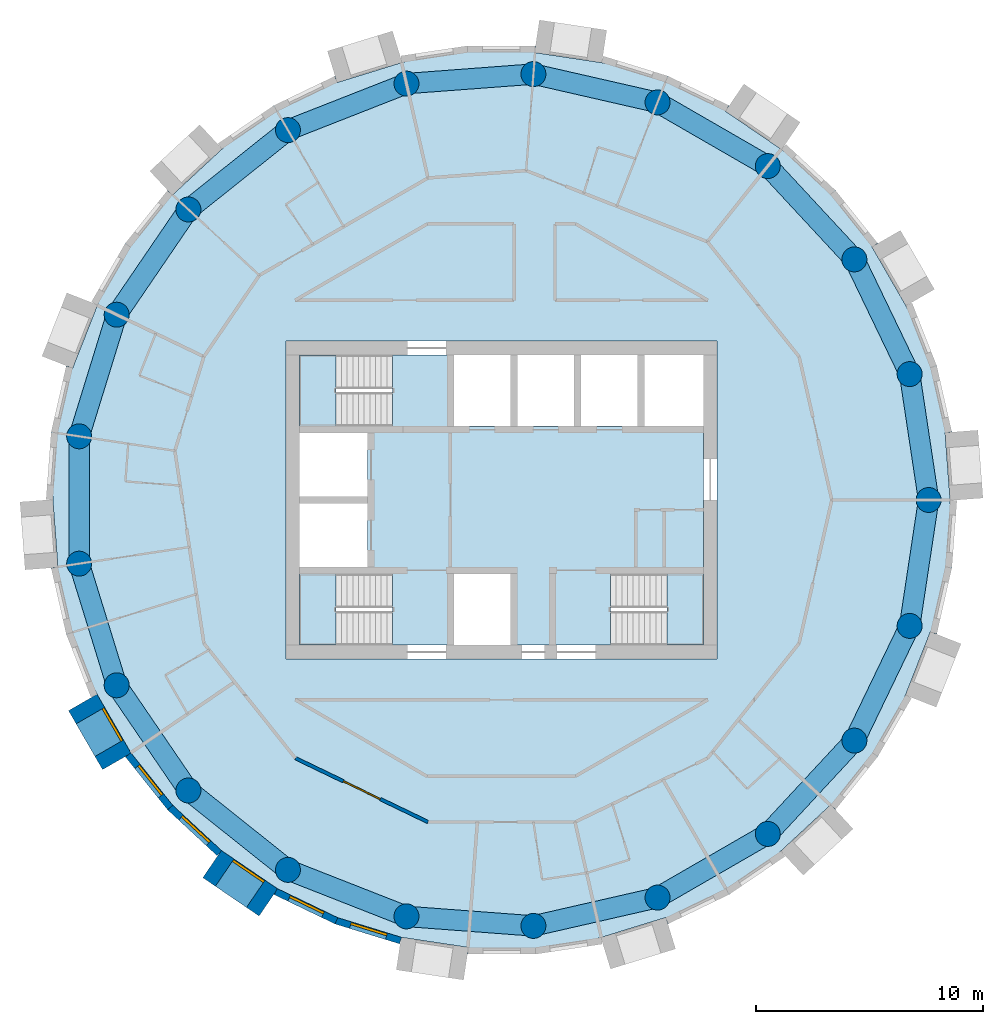
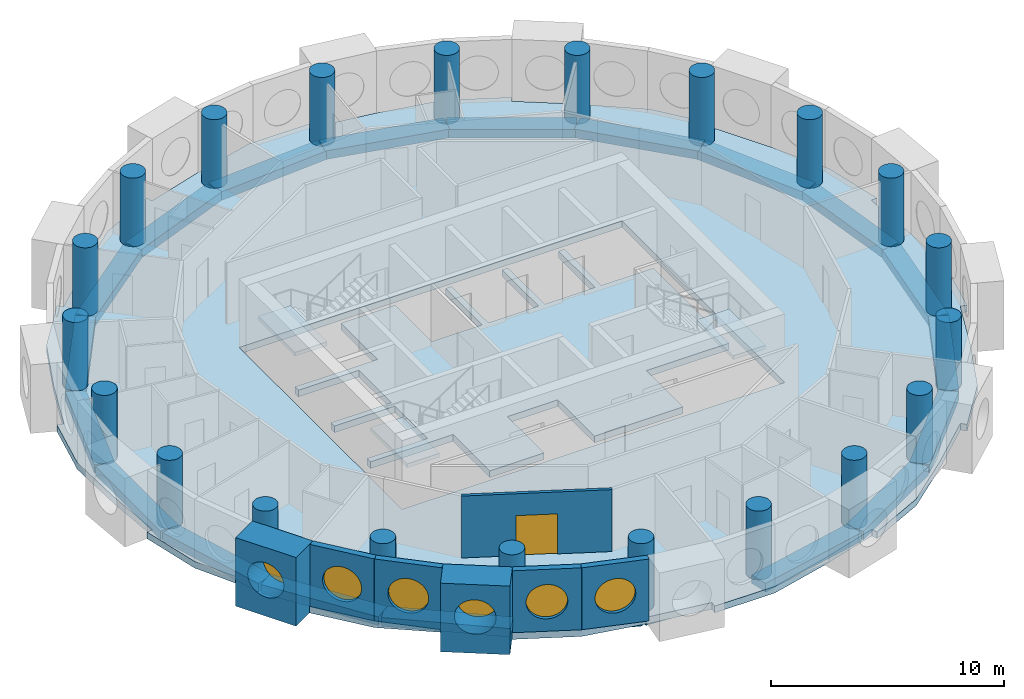
# One storey, part 1 of 11: 21 beams, 21 columns, 7 walls, 6 windows, 5 slabs, 1 door, 7 openings, 3 elements without a shape of their own.
"""IFC4 building model written with IfcOpenShell, lengths in metres."""

from ifc_helpers import new_model, si_unit, direction, frame, frame_2d, origin, origin_2d, place, context, subcontext, project, spatial, polyline, rectangle, circle, outline, extrude, material, layer, layer_set, material_profile, profile_set, type_object, element, fill, aggregate, save


model = new_model("IFC4")

# Units and contexts
model_context = context("Model", 3, precision=1e-05, world=origin(), true_north=direction((0.0, 1.0)))
body_context = subcontext(model_context, "Body", "Model", "MODEL_VIEW")
ifc_project = project(units=[si_unit("LENGTHUNIT", "METRE"), si_unit("AREAUNIT", "SQUARE_METRE"), si_unit("VOLUMEUNIT", "CUBIC_METRE"), si_unit("PLANEANGLEUNIT", "RADIAN"), si_unit("MASSUNIT", "GRAM", prefix="KILO")], contexts=[model_context])

# Site, building, storey
site_placement = place(None, origin())
site = spatial("IfcSite", under=ifc_project, at=site_placement, CompositionType="ELEMENT")
building_placement = place(site_placement, origin())
building = spatial("IfcBuilding", under=site, at=building_placement, Name="Tracery Tower", CompositionType="ELEMENT")
storey_placement = place(building_placement, frame((0.0, 0.0, 263.39990234375)))
storey = spatial("IfcBuildingStorey", under=building, at=storey_placement, Name="L68", CompositionType="ELEMENT", Elevation=263.39990234375)

# Columns
ifc_material_1 = material(Name="Concrete C40/50", Category="concrete")
ifc_material_profile_1 = material_profile(ifc_material_1, circle(Radius=0.550048828125, at=origin_2d()), Name="RC D1100")
ifc_profile_set_1 = profile_set([ifc_material_profile_1], Name="Concrete C40/50")
column_type = type_object("IfcColumnType", Name="Ring 2 column 1100", PredefinedType="COLUMN", material=ifc_profile_set_1)
for number, where, z_axis, x_axis, name in (
    (1, (18.822265625, 0.0, 0.0), (0.0, 0.0, 1.0), (1.0, 0.0, 0.0), "Ring 2 column 00 at L68"),
    (2, (17.986083984375, 5.5478515625, 0.0), (0.0, 0.0, 1.0), (1.0, 0.0, 0.0), "Ring 2 column 01 at L68"),
    (3, (15.551513671875, 10.602783203125, 0.0), (0.0, 0.0, 1.0), (1.0, 0.0, 0.0), "Ring 2 column 02 at L68"),
    (4, (11.7353515625, 14.7158203125, 0.0), (0.0, 0.0, 1.0), (1.0, 0.0, 0.0), "Ring 2 column 03 at L68"),
    (5, (6.87646484375, 17.52099609375, 0.0), (0.0, 0.0, 1.0), (1.0, 0.0, 0.0), "Ring 2 column 04 at L68"),
    (6, (1.406494140625, 18.76953125, 0.0), (0.0, 0.0, 1.0), (1.0, 0.0, 0.0), "Ring 2 column 05 at L68"),
    (7, (-4.188232421875, 18.350341796875, 0.0), (0.0, 0.0, 1.0), (1.0, 0.0, 0.0), "Ring 2 column 06 at L68"),
    (8, (-9.4111328125, 16.300537109375, 0.0), (0.0, 0.0, 1.0), (1.0, 0.0, 0.0), "Ring 2 column 07 at L68"),
    (9, (-13.797607421875, 12.802490234375, 0.0), (0.0, 0.0, 1.0), (1.0, 0.0, 0.0), "Ring 2 column 08 at L68"),
    (10, (-16.958251953125, 8.16650390625, 0.0), (0.0, 0.0, 1.0), (1.0, 0.0, 0.0), "Ring 2 column 09 at L68"),
    (11, (-18.612060546875, 2.805419921875, 0.0), (0.0, 0.0, 1.0), (1.0, 0.0, 0.0), "Ring 2 column 10 at L68"),
    (12, (-18.612060546875, -2.805419921875, 0.0), (0.0, 0.0, 1.0), (1.0, 0.0, 0.0), "Ring 2 column 11 at L68"),
    (13, (-16.958251953125, -8.166748046875, 0.0), (0.0, 0.0, 1.0), (1.0, 0.0, 0.0), "Ring 2 column 12 at L68"),
    (14, (-13.797607421875, -12.80224609375, 0.0), (0.0, 0.0, 1.0), (1.0, 0.0, 0.0), "Ring 2 column 13 at L68"),
    (15, (-9.4111328125, -16.300537109375, 0.0), (0.0, 0.0, 1.0), (1.0, 0.0, 0.0), "Ring 2 column 14 at L68"),
    (16, (-4.188232421875, -18.350341796875, 0.0), (0.0, 0.0, 1.0), (1.0, 0.0, 0.0), "Ring 2 column 15 at L68"),
    (17, (1.406494140625, -18.76953125, 0.0), (0.0, 0.0, 1.0), (1.0, 0.0, 0.0), "Ring 2 column 16 at L68"),
    (18, (6.87646484375, -17.52099609375, 0.0), (0.0, 0.0, 1.0), (1.0, 0.0, 0.0), "Ring 2 column 17 at L68"),
    (19, (11.7353515625, -14.7158203125, 0.0), (0.0, 0.0, 1.0), (1.0, 0.0, 0.0), "Ring 2 column 18 at L68"),
    (20, (15.551513671875, -10.602783203125, 0.0), (0.0, 0.0, 1.0), (1.0, 0.0, 0.0), "Ring 2 column 19 at L68"),
    (21, (17.986083984375, -5.5478515625, 0.0), (0.0, 0.0, 1.0), (1.0, 0.0, 0.0), "Ring 2 column 20 at L68"),
):
    element("IfcColumn", number, at=place(storey_placement, frame(where, z_axis=z_axis, x_axis=x_axis)), inside=storey, type_object=column_type, Name=name, PredefinedType="COLUMN", context=body_context, shape_type="SweptSolid", body=[
        extrude(circle(Radius=0.550048828125, at=origin_2d()), origin(), (0.0, 0.0, 1.0), 3.60009765625),
    ])

# Beams
ifc_material_2 = material(Name="Concrete C40/50", Category="concrete")
ifc_material_profile_2 = material_profile(ifc_material_2, rectangle(XDim=0.89990234375, YDim=0.449951171875, at=origin_2d()), Name="RC 900x450")
ifc_profile_set_2 = profile_set([ifc_material_profile_2], Name="Concrete C40/50")
beam_type = type_object("IfcBeamType", Name="Perimeter band beam 900x450", PredefinedType="BEAM", material=ifc_profile_set_2)
for number, where, z_axis, x_axis, name in (
    (22, (18.822265625, 0.0, -0.574951171875), (-0.149038355855, 0.988831415603, 0.0), (-0.988831415603, -0.149038355855, 0.0), "Perimeter beam 2.00 under L68"),
    (23, (17.986083984375, 5.5478515625, -0.574951171875), (-0.433918973155, 0.900951899235, 0.0), (-0.900951899235, -0.433918973155, 0.0), "Perimeter beam 2.01 under L68"),
):
    element("IfcBeam", number, at=place(storey_placement, frame(where, z_axis=z_axis, x_axis=x_axis)), inside=storey, type_object=beam_type, Name=name, PredefinedType="BEAM", context=body_context, shape_type="SweptSolid", body=[
        extrude(rectangle(XDim=0.89990234375, YDim=0.449951171875, at=origin_2d()), origin(), (0.0, 0.0, 1.0), 5.610595703125),
    ])
beam_1_placement = place(storey_placement, frame((15.551513671875, 10.602783203125, -0.574951171875), z_axis=(-0.680155630824, 0.733067744386, 0.0), x_axis=(-0.733067744386, -0.680155630824, 0.0)))
element("IfcBeam", 24, at=beam_1_placement, inside=storey, type_object=beam_type, Name="Perimeter beam 2.02 under L68", PredefinedType="BEAM", context=body_context, shape_type="SweptSolid", body=[
    extrude(rectangle(XDim=0.89990234375, YDim=0.449951171875, at=origin_2d()), origin(), (0.0, 0.0, 1.0), 5.61083984375),
])
for number, where, z_axis, x_axis, name in (
    (25, (11.7353515625, 14.7158203125, -0.574951171875), (-0.866033412818, 0.49998612769, 0.0), (-0.49998612769, -0.866033412818, 0.0), "Perimeter beam 2.03 under L68"),
    (26, (6.87646484375, 17.52099609375, -0.574951171875), (-0.974925977366, 0.222529410768, 0.0), (-0.222529410768, -0.974925977366, 0.0), "Perimeter beam 2.04 under L68"),
):
    element("IfcBeam", number, at=place(storey_placement, frame(where, z_axis=z_axis, x_axis=x_axis)), inside=storey, type_object=beam_type, Name=name, PredefinedType="BEAM", context=body_context, shape_type="SweptSolid", body=[
        extrude(rectangle(XDim=0.89990234375, YDim=0.449951171875, at=origin_2d()), origin(), (0.0, 0.0, 1.0), 5.610595703125),
    ])
beam_2_placement = place(storey_placement, frame((1.406494140625, 18.76953125, -0.574951171875), z_axis=(-0.997204824387, -0.07471638521, 0.0), x_axis=(0.07471638521, -0.997204824387, 0.0)))
element("IfcBeam", 27, at=beam_2_placement, inside=storey, type_object=beam_type, Name="Perimeter beam 2.05 under L68", PredefinedType="BEAM", context=body_context, shape_type="SweptSolid", body=[
    extrude(rectangle(XDim=0.89990234375, YDim=0.449951171875, at=origin_2d()), origin(), (0.0, 0.0, 1.0), 5.6103515625),
])
beam_3_placement = place(storey_placement, frame((-4.188232421875, 18.350341796875, -0.574951171875), z_axis=(-0.930875728468, -0.365335979817, 0.0), x_axis=(0.365335979817, -0.930875728468, 0.0)))
element("IfcBeam", 28, at=beam_3_placement, inside=storey, type_object=beam_type, Name="Perimeter beam 2.06 under L68", PredefinedType="BEAM", context=body_context, shape_type="SweptSolid", body=[
    extrude(rectangle(XDim=0.89990234375, YDim=0.449951171875, at=origin_2d()), origin(), (0.0, 0.0, 1.0), 5.61083984375),
])
beam_4_placement = place(storey_placement, frame((-9.4111328125, 16.300537109375, -0.574951171875), z_axis=(-0.781835817725, -0.623484365579, 0.0), x_axis=(0.623484365579, -0.781835817725, 0.0)))
element("IfcBeam", 29, at=beam_4_placement, inside=storey, type_object=beam_type, Name="Perimeter beam 2.07 under L68", PredefinedType="BEAM", context=body_context, shape_type="SweptSolid", body=[
    extrude(rectangle(XDim=0.89990234375, YDim=0.449951171875, at=origin_2d()), origin(), (0.0, 0.0, 1.0), 5.610595703125),
])
beam_5_placement = place(storey_placement, frame((-13.797607421875, 12.802490234375, -0.574951171875), z_axis=(-0.563305770578, -0.826248515178, 0.0), x_axis=(0.826248515178, -0.563305770578, 0.0)))
element("IfcBeam", 30, at=beam_5_placement, inside=storey, type_object=beam_type, Name="Perimeter beam 2.08 under L68", PredefinedType="BEAM", context=body_context, shape_type="SweptSolid", body=[
    extrude(rectangle(XDim=0.89990234375, YDim=0.449951171875, at=origin_2d()), origin(), (0.0, 0.0, 1.0), 5.61083984375),
])
beam_6_placement = place(storey_placement, frame((-16.958251953125, 8.16650390625, -0.574951171875), z_axis=(-0.294776851839, -0.955566118916, 0.0), x_axis=(0.955566118916, -0.294776851839, 0.0)))
element("IfcBeam", 31, at=beam_6_placement, inside=storey, type_object=beam_type, Name="Perimeter beam 2.09 under L68", PredefinedType="BEAM", context=body_context, shape_type="SweptSolid", body=[
    extrude(rectangle(XDim=0.89990234375, YDim=0.449951171875, at=origin_2d()), origin(), (0.0, 0.0, 1.0), 5.6103515625),
])
beam_7_placement = place(storey_placement, frame((-18.612060546875, 2.805419921875, -0.574951171875), z_axis=(0.0, -1.0, 0.0), x_axis=(1.0, 0.0, 0.0)))
element("IfcBeam", 32, at=beam_7_placement, inside=storey, type_object=beam_type, Name="Perimeter beam 2.10 under L68", PredefinedType="BEAM", context=body_context, shape_type="SweptSolid", body=[
    extrude(rectangle(XDim=0.89990234375, YDim=0.449951171875, at=origin_2d()), origin(), (0.0, 0.0, 1.0), 5.61083984375),
])
for number, where, z_axis, x_axis, name in (
    (33, (-18.612060546875, -2.805419921875, -0.574951171875), (0.294764594813, -0.955569899926, 0.0), (0.955569899926, 0.294764594813, 0.0), "Perimeter beam 2.11 under L68"),
    (34, (-16.958251953125, -8.166748046875, -0.574951171875), (0.5633462764, -0.826220898348, 0.0), (0.826220898348, 0.5633462764, 0.0), "Perimeter beam 2.12 under L68"),
    (35, (-13.797607421875, -12.80224609375, -0.574951171875), (0.781814605872, -0.623510963853, 0.0), (0.623510963853, 0.781814605872, 0.0), "Perimeter beam 2.13 under L68"),
):
    element("IfcBeam", number, at=place(storey_placement, frame(where, z_axis=z_axis, x_axis=x_axis)), inside=storey, type_object=beam_type, Name=name, PredefinedType="BEAM", context=body_context, shape_type="SweptSolid", body=[
        extrude(rectangle(XDim=0.89990234375, YDim=0.449951171875, at=origin_2d()), origin(), (0.0, 0.0, 1.0), 5.610595703125),
    ])
beam_8_placement = place(storey_placement, frame((-9.4111328125, -16.300537109375, -0.574951171875), z_axis=(0.930875728468, -0.365335979817, 0.0), x_axis=(0.365335979817, 0.930875728468, 0.0)))
element("IfcBeam", 36, at=beam_8_placement, inside=storey, type_object=beam_type, Name="Perimeter beam 2.14 under L68", PredefinedType="BEAM", context=body_context, shape_type="SweptSolid", body=[
    extrude(rectangle(XDim=0.89990234375, YDim=0.449951171875, at=origin_2d()), origin(), (0.0, 0.0, 1.0), 5.61083984375),
])
beam_9_placement = place(storey_placement, frame((-4.188232421875, -18.350341796875, -0.574951171875), z_axis=(0.997204824387, -0.07471638521, 0.0), x_axis=(0.07471638521, 0.997204824387, 0.0)))
element("IfcBeam", 37, at=beam_9_placement, inside=storey, type_object=beam_type, Name="Perimeter beam 2.15 under L68", PredefinedType="BEAM", context=body_context, shape_type="SweptSolid", body=[
    extrude(rectangle(XDim=0.89990234375, YDim=0.449951171875, at=origin_2d()), origin(), (0.0, 0.0, 1.0), 5.6103515625),
])
for number, where, z_axis, x_axis, name in (
    (38, (1.406494140625, -18.76953125, -0.574951171875), (0.974925977366, 0.222529410768, 0.0), (-0.222529410768, 0.974925977366, 0.0), "Perimeter beam 2.16 under L68"),
    (39, (6.87646484375, -17.52099609375, -0.574951171875), (0.866033412818, 0.49998612769, 0.0), (-0.49998612769, 0.866033412818, 0.0), "Perimeter beam 2.17 under L68"),
):
    element("IfcBeam", number, at=place(storey_placement, frame(where, z_axis=z_axis, x_axis=x_axis)), inside=storey, type_object=beam_type, Name=name, PredefinedType="BEAM", context=body_context, shape_type="SweptSolid", body=[
        extrude(rectangle(XDim=0.89990234375, YDim=0.449951171875, at=origin_2d()), origin(), (0.0, 0.0, 1.0), 5.610595703125),
    ])
beam_10_placement = place(storey_placement, frame((11.7353515625, -14.7158203125, -0.574951171875), z_axis=(0.680155630824, 0.733067744386, 0.0), x_axis=(-0.733067744386, 0.680155630824, 0.0)))
element("IfcBeam", 40, at=beam_10_placement, inside=storey, type_object=beam_type, Name="Perimeter beam 2.18 under L68", PredefinedType="BEAM", context=body_context, shape_type="SweptSolid", body=[
    extrude(rectangle(XDim=0.89990234375, YDim=0.449951171875, at=origin_2d()), origin(), (0.0, 0.0, 1.0), 5.61083984375),
])
for number, where, z_axis, x_axis, name in (
    (41, (15.551513671875, -10.602783203125, -0.574951171875), (0.433918973155, 0.900951899235, 0.0), (-0.900951899235, 0.433918973155, 0.0), "Perimeter beam 2.19 under L68"),
    (42, (17.986083984375, -5.5478515625, -0.574951171875), (0.149038355855, 0.988831415603, 0.0), (-0.988831415603, 0.149038355855, 0.0), "Perimeter beam 2.20 under L68"),
):
    element("IfcBeam", number, at=place(storey_placement, frame(where, z_axis=z_axis, x_axis=x_axis)), inside=storey, type_object=beam_type, Name=name, PredefinedType="BEAM", context=body_context, shape_type="SweptSolid", body=[
        extrude(rectangle(XDim=0.89990234375, YDim=0.449951171875, at=origin_2d()), origin(), (0.0, 0.0, 1.0), 5.610595703125),
    ])

# Slabs
ifc_material_3 = material(Name="Concrete C40/50", Category="concrete")
ifc_layer_1 = layer(ifc_material_3, 0.35009765625)
ifc_layer_set_1 = layer_set([ifc_layer_1], Name="Core floor slab 350 C40")
slab_type_1 = type_object("IfcSlabType", Name="Core floor slab 350 C40", PredefinedType="FLOOR", material=ifc_layer_set_1)
slab_1_placement = place(storey_placement, frame((0.0, 0.0, -0.349853515625)))
element("IfcSlab", 43, at=slab_1_placement, inside=storey, type_object=slab_type_1, Name="L68 core floor 1", PredefinedType="FLOOR", context=body_context, shape_type="SweptSolid", body=[
    extrude(outline(polyline([(-4.800537109375, -3.25), (-8.89990234375, -3.25), (-8.89990234375, -2.949951171875), (-5.89990234375, -2.949951171875), (-5.89990234375, -0.14990234375), (-8.89990234375, -0.14990234375), (-8.89990234375, 0.14990234375), (-5.89990234375, 0.14990234375), (-5.89990234375, 2.949951171875), (-8.89990234375, 2.949951171875), (-8.89990234375, 3.25), (-4.800537109375, 3.25), (-4.800537109375, 6.39990234375), (-2.10009765625, 6.39990234375), (-2.10009765625, 3.25), (0.39990234375, 3.25), (0.39990234375, 6.39990234375), (0.699951171875, 6.39990234375), (0.699951171875, 3.25), (3.199951171875, 3.25), (3.199951171875, 6.39990234375), (3.5, 6.39990234375), (3.5, 3.25), (6.0, 3.25), (6.0, 6.39990234375), (6.300048828125, 6.39990234375), (6.300048828125, 3.25), (8.89990234375, 3.25), (8.89990234375, -3.25), (4.800537109375, -3.25), (4.800537109375, -6.39990234375), (0.39990234375, -6.39990234375), (0.39990234375, -3.25), (-2.10009765625, -3.25), (-2.10009765625, -6.39990234375), (-4.800537109375, -6.39990234375), (-4.800537109375, -3.25)])), origin(), (0.0, 0.0, 1.0), 0.349853515625),
])
ifc_material_4 = material(Name="Concrete C40/50", Category="concrete")
ifc_layer_2 = layer(ifc_material_4, 0.35009765625)
ifc_layer_set_2 = layer_set([ifc_layer_2], Name="Floor slab 350")
slab_type_2 = type_object("IfcSlabType", Name="Floor slab 350", PredefinedType="FLOOR", material=ifc_layer_set_2)
slab_2_placement = place(storey_placement, frame((0.0, 0.0, -0.349853515625)))
element("IfcSlab", 44, at=slab_2_placement, inside=storey, type_object=slab_type_2, Name="Floor slab L68", PredefinedType="FLOOR", context=body_context, shape_type="SweptSolid", body=[
    extrude(outline(polyline([(19.550537109375, 2.94677734375), (19.548828125, 2.96923828125), (19.847900390625, 2.99169921875), (19.180419921875, 5.91650390625), (17.813720703125, 8.577880859375), (16.32470703125, 11.156982421875), (16.583984375, 11.306884765625), (16.58447265625, 11.30712890625), (14.714111328125, 13.652587890625), (12.3271484375, 15.4580078125), (9.8671875, 17.13525390625), (10.0361328125, 17.383056640625), (7.333251953125, 18.684814453125), (4.3994140625, 19.275634765625), (2.3466796875, 19.585205078125), (1.455322265625, 19.719482421875), (1.5, 20.01611328125), (1.5, 20.01611328125), (-1.5, 20.01611328125), (-4.3994140625, 19.275634765625), (-7.223388671875, 18.404541015625), (-7.223388671875, 18.404541015625), (-7.244873046875, 18.39794921875), (-7.333251953125, 18.684814453125), (-10.0361328125, 17.383056640625), (-12.3271484375, 15.4580078125), (-14.493408203125, 13.447998046875), (-14.493408203125, 13.447998046875), (-14.510009765625, 13.4326171875), (-14.714111328125, 13.652587890625), (-14.714111328125, 13.652587890625), (-16.58447265625, 11.30712890625), (-17.81298828125, 8.5791015625), (-18.901123046875, 5.806884765625), (-19.180419921875, 5.91650390625), (-19.847900390625, 2.99169921875), (-19.771484375, 0.000732421875), (-19.63720703125, -1.789306640625), (-19.550537109375, -2.94677734375), (-19.550537109375, -2.94677734375), (-19.548828125, -2.96923828125), (-19.847900390625, -2.99169921875), (-19.180419921875, -5.91650390625), (-17.813720703125, -8.577880859375), (-16.32470703125, -11.156982421875), (-16.583984375, -11.306884765625), (-16.58447265625, -11.30712890625), (-14.714111328125, -13.652587890625), (-12.3271484375, -15.4580078125), (-9.8671875, -17.13525390625), (-10.0361328125, -17.383056640625), (-7.333251953125, -18.684814453125), (-4.3994140625, -19.275634765625), (-2.3466796875, -19.585205078125), (-1.455322265625, -19.719482421875), (-1.5, -20.01611328125), (-1.5, -20.01611328125), (1.5, -20.01611328125), (4.3994140625, -19.275634765625), (7.223388671875, -18.404541015625), (7.223388671875, -18.404541015625), (7.244873046875, -18.39794921875), (7.333251953125, -18.684814453125), (10.0361328125, -17.383056640625), (12.3271484375, -15.4580078125), (14.493408203125, -13.447998046875), (14.493408203125, -13.447998046875), (14.510009765625, -13.4326171875), (14.714111328125, -13.652587890625), (14.714111328125, -13.652587890625), (16.58447265625, -11.30712890625), (17.81298828125, -8.5791015625), (18.901123046875, -5.806884765625), (19.180419921875, -5.91650390625), (19.847900390625, -2.99169921875), (19.771484375, -0.000732421875), (19.63720703125, 1.789306640625), (19.550537109375, 2.94677734375), (19.550537109375, 2.94677734375)]), holes=[polyline([(-9.5, -7.0), (9.5, -7.0), (9.5, 7.0), (-9.5, 7.0), (-9.5, -7.0)])]), origin(), (0.0, 0.0, 1.0), 0.349853515625),
])

# Stair, slab
ifc_material_5 = material(Name="Concrete C32/40", Category="concrete")
stair_type = type_object("IfcStairType", Name="Core stair 22 risers", PredefinedType="HALF_TURN_STAIR", material=ifc_material_5)
stair_1_placement = place(storey_placement, origin())
stair_1 = element("IfcStair", 45, at=stair_1_placement, inside=storey, type_object=stair_type, Name="L68 stair ST1", PredefinedType="HALF_TURN_STAIR")
ifc_material_6 = material(Name="Concrete C32/40", Category="concrete")
ifc_layer_3 = layer(ifc_material_6, 0.199951171875)
ifc_layer_set_3 = layer_set([ifc_layer_3], Name="Stair landing slab 200")
slab_type_3 = type_object("IfcSlabType", Name="Stair landing slab 200", PredefinedType="LANDING", material=ifc_layer_set_3)
slab_3_placement = place(storey_placement, frame((0.0, 0.0, 1.60009765625)))
slab_3 = element("IfcSlab", 46, at=slab_3_placement, type_object=slab_type_3, Name="ST1 landing 1", PredefinedType="LANDING", context=body_context, shape_type="SweptSolid", body=[
    extrude(outline(polyline([(-7.29931640625, -3.25), (-8.89990234375, -3.25), (-8.89990234375, -6.39990234375), (-7.29931640625, -6.39990234375), (-7.29931640625, -3.25)])), origin(), (0.0, 0.0, 1.0), 0.199951171875),
])
aggregate(stair_1, [slab_3])

stair_2_placement = place(storey_placement, origin())
stair_2 = element("IfcStair", 47, at=stair_2_placement, inside=storey, type_object=stair_type, Name="L68 stair ST3", PredefinedType="HALF_TURN_STAIR")
slab_4_placement = place(storey_placement, frame((0.0, 0.0, 1.60009765625)))
slab_4 = element("IfcSlab", 48, at=slab_4_placement, type_object=slab_type_3, Name="ST3 landing 1", PredefinedType="LANDING", context=body_context, shape_type="SweptSolid", body=[
    extrude(outline(polyline([(-7.29931640625, 6.39990234375), (-8.89990234375, 6.39990234375), (-8.89990234375, 3.25), (-7.29931640625, 3.25), (-7.29931640625, 6.39990234375)])), origin(), (0.0, 0.0, 1.0), 0.199951171875),
])
aggregate(stair_2, [slab_4])

stair_3_placement = place(storey_placement, origin())
stair_3 = element("IfcStair", 49, at=stair_3_placement, inside=storey, type_object=stair_type, Name="L68 stair ST2", PredefinedType="HALF_TURN_STAIR")
slab_5_placement = place(storey_placement, frame((0.0, 0.0, 1.60009765625)))
slab_5 = element("IfcSlab", 50, at=slab_5_placement, type_object=slab_type_3, Name="ST2 landing 1", PredefinedType="LANDING", context=body_context, shape_type="SweptSolid", body=[
    extrude(outline(polyline([(7.29931640625, -6.39990234375), (8.89990234375, -6.39990234375), (8.89990234375, -3.25), (7.29931640625, -3.25), (7.29931640625, -6.39990234375)])), origin(), (0.0, 0.0, 1.0), 0.199951171875),
])
aggregate(stair_3, [slab_5])

# Wall, opening, window
ifc_material_7 = material(Name="Precast concrete C50/60", Category="concrete")
ifc_layer_4 = layer(ifc_material_7, 1.449951171875)
ifc_layer_set_4 = layer_set([ifc_layer_4], Name="Deep-set bay unit 3000 x 3600, slab edge 350")
wall_type_1 = type_object("IfcWallType", Name="Deep-set bay unit 3000 x 3600, slab edge 350", PredefinedType="ELEMENTEDWALL", material=ifc_layer_set_4)
wall_1_placement = place(storey_placement, frame((-18.452392578125, -8.92138671875, -0.349853515625), z_axis=(0.0, 0.0, 1.0), x_axis=(0.499990139034, -0.866031096941, 0.0)))
wall_1 = element("IfcWall", 51, at=wall_1_placement, inside=storey, type_object=wall_type_1, Name="Deep-set bay unit 25 at L68", PredefinedType="ELEMENTEDWALL", context=body_context, shape_type="SweptSolid", body=[
    extrude(rectangle(XDim=3.0, YDim=1.449951171875, at=frame_2d((1.5, 0.0))), origin(), (0.0, 0.0, 1.0), 3.599853515625),
])
opening_1_placement = place(wall_1_placement, frame((1.5, 0.0, 1.89990234375)))
opening_1 = element("IfcOpeningElement", 52, at=opening_1_placement, cuts=wall_1, Name="Opening WN1", PredefinedType="OPENING", context=body_context, shape_type="SweptSolid", body=[
    extrude(circle(Radius=0.9000244140625, at=origin_2d()), frame((0.0, 0.73486328125, 0.0), z_axis=(0.0, -1.0, 0.0), x_axis=(1.0, 0.0, 0.0)), (0.0, 0.0, 1.0), 1.469970703125),
])
ifc_material_8 = material(Name="Aluminium frame with tinted double glazing", Category="aluminium")
window_type = type_object("IfcWindowType", Name="Round window 1800", PartitioningType="SINGLE_PANEL", PredefinedType="WINDOW", material=ifc_material_8)
window_1_placement = place(opening_1_placement, origin())
window_1 = element("IfcWindow", 53, at=window_1_placement, inside=storey, type_object=window_type, Name="Round window 25 at L68", OverallHeight=1.800048828125, OverallWidth=1.800048828125, PartitioningType="SINGLE_PANEL", PredefinedType="WINDOW", context=body_context, shape_type="SweptSolid", body=[
    extrude(circle(Radius=0.9000244140625, at=origin_2d()), frame((0.0, 0.69482421875, 0.0), z_axis=(0.0, -1.0, 0.0), x_axis=(1.0, 0.0, 0.0)), (0.0, 0.0, 1.0), 0.10009765625),
])
fill(opening_1, window_1)

wall_2_placement = place(storey_placement, frame((-12.754150390625, -16.044189453125, -0.349853515625), z_axis=(0.0, 0.0, 1.0), x_axis=(0.826246281157, -0.563309047392, 0.0)))
wall_2 = element("IfcWall", 54, at=wall_2_placement, inside=storey, type_object=wall_type_1, Name="Deep-set bay unit 28 at L68", PredefinedType="ELEMENTEDWALL", context=body_context, shape_type="SweptSolid", body=[
    extrude(rectangle(XDim=3.0, YDim=1.449951171875, at=frame_2d((1.5, 0.0))), origin(), (0.0, 0.0, 1.0), 3.599853515625),
])
opening_2_placement = place(wall_2_placement, frame((1.5, 0.0, 1.89990234375)))
opening_2 = element("IfcOpeningElement", 55, at=opening_2_placement, cuts=wall_2, Name="Opening WN1", PredefinedType="OPENING", context=body_context, shape_type="SweptSolid", body=[
    extrude(circle(Radius=0.9000244140625, at=origin_2d()), frame((0.0, 0.73486328125, 0.0), z_axis=(0.0, -1.0, 0.0), x_axis=(1.0, 0.0, 0.0)), (0.0, 0.0, 1.0), 1.469970703125),
])
window_2_placement = place(opening_2_placement, origin())
window_2 = element("IfcWindow", 56, at=window_2_placement, inside=storey, type_object=window_type, Name="Round window 28 at L68", OverallHeight=1.800048828125, OverallWidth=1.800048828125, PartitioningType="SINGLE_PANEL", PredefinedType="WINDOW", context=body_context, shape_type="SweptSolid", body=[
    extrude(circle(Radius=0.9000244140625, at=origin_2d()), frame((0.0, 0.69482421875, 0.0), z_axis=(0.0, -1.0, 0.0), x_axis=(1.0, 0.0, 0.0)), (0.0, 0.0, 1.0), 0.10009765625),
])
fill(opening_2, window_2)

ifc_material_9 = material(Name="Precast concrete C50/60", Category="concrete")
ifc_layer_5 = layer(ifc_material_9, 0.300048828125)
ifc_layer_set_5 = layer_set([ifc_layer_5], Name="Facade panel 3000 x 3250")
wall_type_2 = type_object("IfcWallType", Name="Facade panel 3000 x 3250", PredefinedType="SOLIDWALL", material=ifc_layer_set_5)
wall_3_placement = place(storey_placement, frame((-16.45068359375, -11.234375, 0.0), z_axis=(0.0, 0.0, 1.0), x_axis=(0.623498236992, -0.781824755599, 0.0)))
wall_3 = element("IfcWall", 57, at=wall_3_placement, inside=storey, type_object=wall_type_2, Name="Facade panel 26 at L68", PredefinedType="SOLIDWALL", context=body_context, shape_type="SweptSolid", body=[
    extrude(rectangle(XDim=2.962158203125, YDim=0.300048828125, at=frame_2d((1.48095703125, 0.0))), origin(), (0.0, 0.0, 1.0), 3.25),
])
opening_3_placement = place(wall_3_placement, frame((1.48095703125, 0.0, 1.5498046875)))
opening_3 = element("IfcOpeningElement", 58, at=opening_3_placement, cuts=wall_3, Name="Opening WN1", PredefinedType="OPENING", context=body_context, shape_type="SweptSolid", body=[
    extrude(circle(Radius=0.9000244140625, at=origin_2d()), frame((0.0, 0.159912109375, 0.0), z_axis=(0.0, -1.0, 0.0), x_axis=(1.0, 0.0, 0.0)), (0.0, 0.0, 1.0), 0.320068359375),
])
window_3_placement = place(opening_3_placement, origin())
window_3 = element("IfcWindow", 59, at=window_3_placement, inside=storey, type_object=window_type, Name="Round window 26 at L68", OverallHeight=1.800048828125, OverallWidth=1.800048828125, PartitioningType="SINGLE_PANEL", PredefinedType="WINDOW", context=body_context, shape_type="SweptSolid", body=[
    extrude(circle(Radius=0.9000244140625, at=origin_2d()), frame((0.0, 0.1201171875, 0.0), z_axis=(0.0, -1.0, 0.0), x_axis=(1.0, 0.0, 0.0)), (0.0, 0.0, 1.0), 0.10009765625),
])
fill(opening_3, window_3)

wall_4_placement = place(storey_placement, frame((-14.603759765625, -13.55029296875, 0.0), z_axis=(0.0, 0.0, 1.0), x_axis=(0.733066412643, -0.680157066165, 0.0)))
wall_4 = element("IfcWall", 60, at=wall_4_placement, inside=storey, type_object=wall_type_2, Name="Facade panel 27 at L68", PredefinedType="SOLIDWALL", context=body_context, shape_type="SweptSolid", body=[
    extrude(rectangle(XDim=2.96240234375, YDim=0.300048828125, at=frame_2d((1.481201171875, 0.0))), origin(), (0.0, 0.0, 1.0), 3.25),
])
opening_4_placement = place(wall_4_placement, frame((1.48095703125, 0.0, 1.5498046875)))
opening_4 = element("IfcOpeningElement", 61, at=opening_4_placement, cuts=wall_4, Name="Opening WN1", PredefinedType="OPENING", context=body_context, shape_type="SweptSolid", body=[
    extrude(circle(Radius=0.9000244140625, at=origin_2d()), frame((0.0, 0.159912109375, 0.0), z_axis=(0.0, -1.0, 0.0), x_axis=(1.0, 0.0, 0.0)), (0.0, 0.0, 1.0), 0.320068359375),
])
window_4_placement = place(opening_4_placement, origin())
window_4 = element("IfcWindow", 62, at=window_4_placement, inside=storey, type_object=window_type, Name="Round window 27 at L68", OverallHeight=1.800048828125, OverallWidth=1.800048828125, PartitioningType="SINGLE_PANEL", PredefinedType="WINDOW", context=body_context, shape_type="SweptSolid", body=[
    extrude(circle(Radius=0.9000244140625, at=origin_2d()), frame((0.0, 0.1201171875, 0.0), z_axis=(0.0, -1.0, 0.0), x_axis=(1.0, 0.0, 0.0)), (0.0, 0.0, 1.0), 0.10009765625),
])
fill(opening_4, window_4)

wall_5_placement = place(storey_placement, frame((-9.947021484375, -17.25927734375, 0.0), z_axis=(0.0, 0.0, 1.0), x_axis=(0.900939615635, -0.433944476838, 0.0)))
wall_5 = element("IfcWall", 63, at=wall_5_placement, inside=storey, type_object=wall_type_2, Name="Facade panel 29 at L68", PredefinedType="SOLIDWALL", context=body_context, shape_type="SweptSolid", body=[
    extrude(rectangle(XDim=2.962158203125, YDim=0.300048828125, at=frame_2d((1.48095703125, 0.0))), origin(), (0.0, 0.0, 1.0), 3.25),
])
opening_5_placement = place(wall_5_placement, frame((1.48095703125, 0.0, 1.5498046875)))
opening_5 = element("IfcOpeningElement", 64, at=opening_5_placement, cuts=wall_5, Name="Opening WN1", PredefinedType="OPENING", context=body_context, shape_type="SweptSolid", body=[
    extrude(circle(Radius=0.9000244140625, at=origin_2d()), frame((0.0, 0.159912109375, 0.0), z_axis=(0.0, -1.0, 0.0), x_axis=(1.0, 0.0, 0.0)), (0.0, 0.0, 1.0), 0.320068359375),
])
window_5_placement = place(opening_5_placement, origin())
window_5 = element("IfcWindow", 65, at=window_5_placement, inside=storey, type_object=window_type, Name="Round window 29 at L68", OverallHeight=1.800048828125, OverallWidth=1.800048828125, PartitioningType="SINGLE_PANEL", PredefinedType="WINDOW", context=body_context, shape_type="SweptSolid", body=[
    extrude(circle(Radius=0.9000244140625, at=origin_2d()), frame((0.0, 0.1201171875, 0.0), z_axis=(0.0, -1.0, 0.0), x_axis=(1.0, 0.0, 0.0)), (0.0, 0.0, 1.0), 0.10009765625),
])
fill(opening_5, window_5)

wall_6_placement = place(storey_placement, frame((-7.2783203125, -18.544677734375, 0.0), z_axis=(0.0, 0.0, 1.0), x_axis=(0.95558635705, -0.294711238707, 0.0)))
wall_6 = element("IfcWall", 66, at=wall_6_placement, inside=storey, type_object=wall_type_2, Name="Facade panel 30 at L68", PredefinedType="SOLIDWALL", context=body_context, shape_type="SweptSolid", body=[
    extrude(rectangle(XDim=2.96240234375, YDim=0.300048828125, at=frame_2d((1.481201171875, 0.0))), origin(), (0.0, 0.0, 1.0), 3.25),
])
opening_6_placement = place(wall_6_placement, frame((1.48095703125, 0.0, 1.5498046875)))
opening_6 = element("IfcOpeningElement", 67, at=opening_6_placement, cuts=wall_6, Name="Opening WN1", PredefinedType="OPENING", context=body_context, shape_type="SweptSolid", body=[
    extrude(circle(Radius=0.9000244140625, at=origin_2d()), frame((0.0, 0.159912109375, 0.0), z_axis=(0.0, -1.0, 0.0), x_axis=(1.0, 0.0, 0.0)), (0.0, 0.0, 1.0), 0.320068359375),
])
window_6_placement = place(opening_6_placement, origin())
window_6 = element("IfcWindow", 68, at=window_6_placement, inside=storey, type_object=window_type, Name="Round window 30 at L68", OverallHeight=1.800048828125, OverallWidth=1.800048828125, PartitioningType="SINGLE_PANEL", PredefinedType="WINDOW", context=body_context, shape_type="SweptSolid", body=[
    extrude(circle(Radius=0.9000244140625, at=origin_2d()), frame((0.0, 0.1201171875, 0.0), z_axis=(0.0, -1.0, 0.0), x_axis=(1.0, 0.0, 0.0)), (0.0, 0.0, 1.0), 0.10009765625),
])
fill(opening_6, window_6)

# Wall, opening, door
ifc_material_10 = material(Name="Plasterboard on steel studs", Category="steel")
ifc_layer_6 = layer(ifc_material_10, 0.14990234375)
ifc_layer_set_6 = layer_set([ifc_layer_6], Name="Partition 150 corridor wall")
wall_type_3 = type_object("IfcWallType", Name="Partition 150 corridor wall", PredefinedType="PARTITIONING", material=ifc_layer_set_6)
wall_7_placement = place(storey_placement, frame((-9.075927734375, -11.381103515625, 0.0), z_axis=(0.0, 0.0, 1.0), x_axis=(0.900976027191, -0.433868872388, 0.0)))
wall_7 = element("IfcWall", 69, at=wall_7_placement, inside=storey, type_object=wall_type_3, Name="Corridor wall RC4-037", PredefinedType="PARTITIONING", context=body_context, shape_type="SweptSolid", body=[
    extrude(rectangle(XDim=6.478515625, YDim=0.14990234375, at=frame_2d((3.2392578125, 0.0))), origin(), (0.0, 0.0, 1.0), 3.25),
])
opening_7_placement = place(wall_7_placement, frame((2.339599609375, 0.0, 0.0)))
opening_7 = element("IfcOpeningElement", 70, at=opening_7_placement, cuts=wall_7, Name="Opening RC4-20", PredefinedType="OPENING", context=body_context, shape_type="SweptSolid", body=[
    extrude(rectangle(XDim=1.800048828125, YDim=2.10009765625, at=frame_2d((0.89990234375, 1.050048828125))), frame((0.0, 0.074951171875, 0.0), z_axis=(0.0, -1.0, 0.0), x_axis=(1.0, 0.0, 0.0)), (0.0, 0.0, 1.0), 0.14990234375),
])
ifc_material_11 = material(Name="Timber door leaf", Category="wood")
door_type = type_object("IfcDoorType", Name="Door double lounge 1800", OperationType="NOTDEFINED", PredefinedType="DOOR", material=ifc_material_11)
door_placement = place(opening_7_placement, origin())
door = element("IfcDoor", 71, at=door_placement, inside=storey, type_object=door_type, Name="Double lounge door RC4-20", OperationType="DOUBLE_DOOR_SINGLE_SWING", OverallHeight=2.10009765625, OverallWidth=1.800048828125, PredefinedType="DOOR", context=body_context, shape_type="SweptSolid", body=[
    extrude(rectangle(XDim=1.800048828125, YDim=2.10009765625, at=frame_2d((0.89990234375, 1.050048828125))), frame((0.0, 0.02490234375, 0.0), z_axis=(0.0, -1.0, 0.0), x_axis=(1.0, 0.0, 0.0)), (0.0, 0.0, 1.0), 0.050048828125),
])
fill(opening_7, door)

save(model, "model.ifc")
